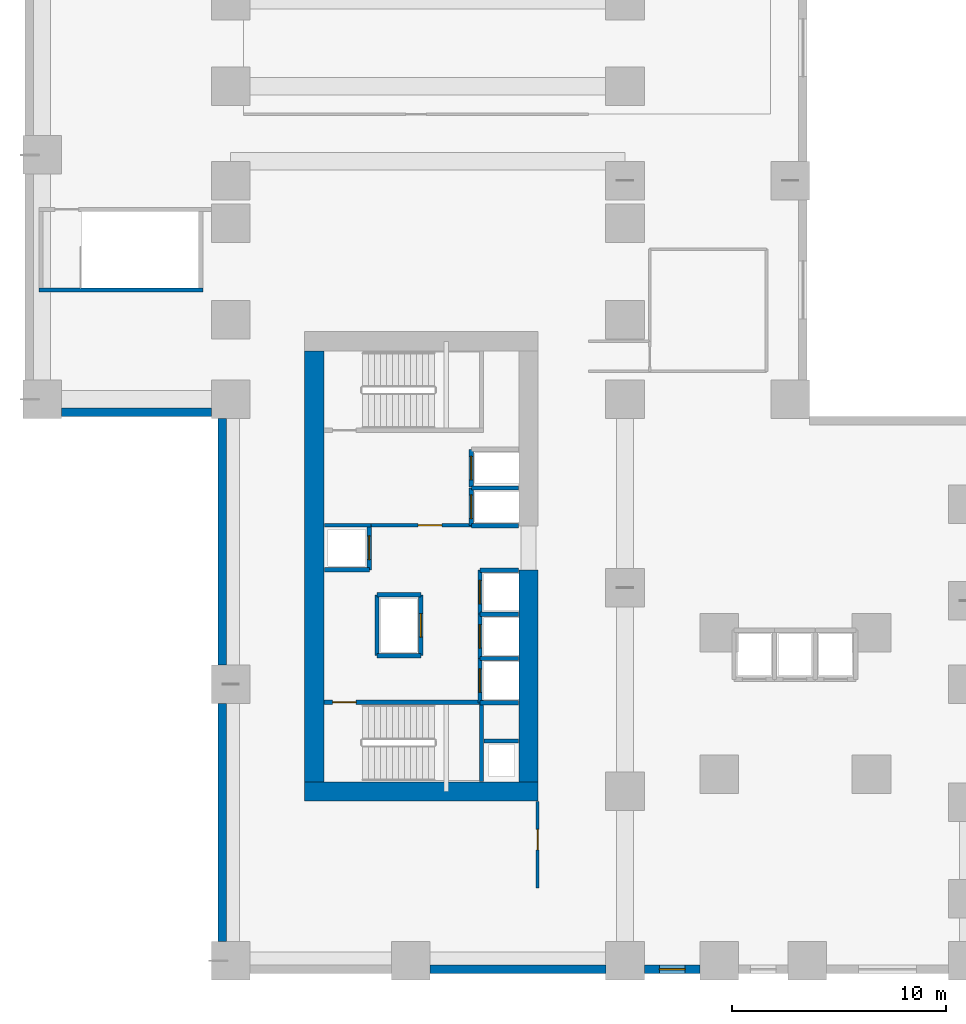
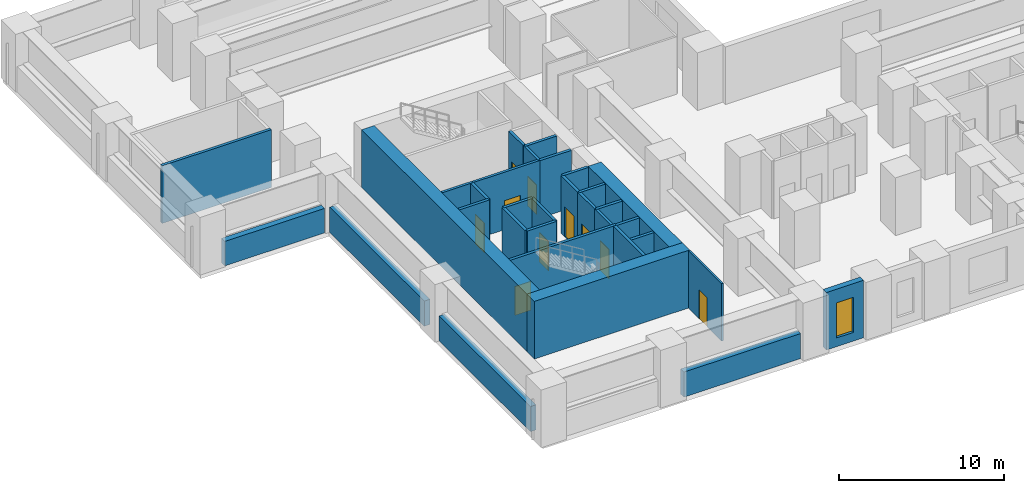
# One storey, part 6 of 12: 32 walls, 10 doors, 1 window, 11 openings.
"""IFC4 building model written with IfcOpenShell, lengths in metres."""

from ifc_helpers import new_model, si_unit, direction, frame, frame_2d, origin, place, context, subcontext, project, spatial, rectangle, extrude, source, transform, mapped, material, layer, layer_set, type_object, element, fill, save


model = new_model("IFC4")

# Units and contexts
model_context = context("Model", 3, precision=1e-05, world=origin(), true_north=direction((0.0, 1.0)))
body_context = subcontext(model_context, "Body", "Model", "MODEL_VIEW")
ifc_project = project(units=[si_unit("LENGTHUNIT", "METRE"), si_unit("AREAUNIT", "SQUARE_METRE"), si_unit("VOLUMEUNIT", "CUBIC_METRE"), si_unit("PLANEANGLEUNIT", "RADIAN"), si_unit("MASSUNIT", "GRAM", prefix="KILO")], contexts=[model_context])

# Site, building, storey
site_placement = place(None, origin())
site = spatial("IfcSite", under=ifc_project, at=site_placement, CompositionType="ELEMENT")
building_placement = place(site_placement, origin())
building = spatial("IfcBuilding", under=site, at=building_placement, Name="Kharzan Plaza Tower", CompositionType="ELEMENT")
storey_placement = place(building_placement, frame((0.0, 0.0, 18.0)))
storey = spatial("IfcBuildingStorey", under=building, at=storey_placement, Name="L04", CompositionType="ELEMENT", Elevation=18.0)

# Wall, opening, door
ifc_material_1 = material(Name="Concrete C40/50", Category="concrete")
ifc_layer_1 = layer(ifc_material_1, 0.179931640625)
ifc_layer_set_1 = layer_set([ifc_layer_1], Name="Concrete C40/50")
wall_type_1 = type_object("IfcWallType", Name="WL-INT-FIRE-180", PredefinedType="PARTITIONING", material=ifc_layer_set_1)
wall_1_placement = place(storey_placement, frame((7.14990234375, 20.919921875, 0.0), z_axis=(0.0, 0.0, 1.0), x_axis=(1.0, 0.0, 0.0)))
wall_1 = element("IfcWall", 1, at=wall_1_placement, inside=storey, type_object=wall_type_1, Name="L04 Interior Partition CA-FF-S", PredefinedType="PARTITIONING", context=body_context, shape_type="SweptSolid", body=[
    extrude(rectangle(XDim=4.68017578125, YDim=0.179931640625, at=frame_2d((2.340087890625, 0.0))), origin(), (0.0, 0.0, 1.0), 4.264892578125),
])
opening_1_placement = place(wall_1_placement, frame((2.199951171875, 0.0, 0.0)))
opening_1 = element("IfcOpeningElement", 2, at=opening_1_placement, cuts=wall_1, Name="Opening FD1", PredefinedType="OPENING", context=body_context, shape_type="SweptSolid", body=[
    extrude(rectangle(XDim=1.10009765625, YDim=2.14990234375, at=frame_2d((0.550048828125, 1.074951171875))), frame((0.0, 0.099853515625, 0.0), z_axis=(0.0, -1.0, 0.0), x_axis=(1.0, 0.0, 0.0)), (0.0, 0.0, 1.0), 0.199951171875),
])
ifc_material_2 = material(Name="Fire-Rated Acoustic Vision-Panel Steel", Category="steel")
door_type_1 = type_object("IfcDoorType", Name="DR-FIRE-LOBBY", OperationType="NOTDEFINED", PredefinedType="DOOR", material=ifc_material_2)
shared_shape_1 = source(origin(), body_context, "Body", "SweptSolid", [
    extrude(rectangle(XDim=1.10009765625, YDim=2.14990234375, at=frame_2d((0.550048828125, 1.074951171875))), frame((0.0, 0.02490234375, 0.0), z_axis=(0.0, -1.0, 0.0), x_axis=(1.0, 0.0, 0.0)), (0.0, 0.0, 1.0), 0.050048828125),
])
door_1_placement = place(opening_1_placement, origin())
door_1 = element("IfcDoor", 3, at=door_1_placement, inside=storey, type_object=door_type_1, Name="L04 Firefighting Lobby Door", OperationType="SINGLE_SWING_LEFT", OverallHeight=2.14990234375, OverallWidth=1.10009765625, PredefinedType="DOOR", context=body_context, shape_type="MappedRepresentation", body=[
    mapped(shared_shape_1, transform((0.0, 0.0, 0.0), x_axis=(1.0, 0.0, 0.0), y_axis=(0.0, 1.0, 0.0), z_axis=(0.0, 0.0, 1.0))),
])
fill(opening_1, door_1)

ifc_material_3 = material(Name="Fire-Rated Gypsum Board Partition", Category="gypsum")
ifc_layer_2 = layer(ifc_material_3, 0.125)
ifc_layer_set_2 = layer_set([ifc_layer_2], Name="Fire-Rated Gypsum Board Partition")
wall_type_2 = type_object("IfcWallType", Name="WL-INT-PART-125", PredefinedType="PARTITIONING", material=ifc_layer_set_2)
wall_2_placement = place(storey_placement, frame((14.919921875, 4.0, 0.0), z_axis=(0.0, 0.0, 1.0), x_axis=(0.0, 1.0, 0.0)))
wall_2 = element("IfcWall", 4, at=wall_2_placement, inside=storey, type_object=wall_type_2, Name="L04 Interior Partition L04-WPDR", PredefinedType="PARTITIONING", context=body_context, shape_type="SweptSolid", body=[
    extrude(rectangle(XDim=4.02001953125, YDim=0.125, at=frame_2d((2.010009765625, 0.0))), origin(), (0.0, 0.0, 1.0), 4.264892578125),
])
opening_2_placement = place(wall_2_placement, frame((1.77490234375, 0.0, 0.0)))
opening_2 = element("IfcOpeningElement", 5, at=opening_2_placement, cuts=wall_2, Name="Opening OD1", PredefinedType="OPENING", context=body_context, shape_type="SweptSolid", body=[
    extrude(rectangle(XDim=0.949951171875, YDim=2.14990234375, at=frame_2d((0.47509765625, 1.074951171875))), frame((0.0, 0.072509765625, 0.0), z_axis=(0.0, -1.0, 0.0), x_axis=(1.0, 0.0, 0.0)), (0.0, 0.0, 1.0), 0.14501953125),
])
ifc_material_4 = material(Name="Acoustic Solid-Core Stained Oak", Category="timber")
door_type_2 = type_object("IfcDoorType", Name="DR-OFF-SINGLE", OperationType="NOTDEFINED", PredefinedType="DOOR", material=ifc_material_4)
shared_shape_2 = source(origin(), body_context, "Body", "SweptSolid", [
    extrude(rectangle(XDim=0.949951171875, YDim=2.14990234375, at=frame_2d((0.47509765625, 1.074951171875))), frame((0.0, 0.02490234375, 0.0), z_axis=(0.0, -1.0, 0.0), x_axis=(1.0, 0.0, 0.0)), (0.0, 0.0, 1.0), 0.050048828125),
])
door_2_placement = place(opening_2_placement, origin())
door_2 = element("IfcDoor", 6, at=door_2_placement, inside=storey, type_object=door_type_2, Name="L04 Private Dining Room Door", OperationType="SINGLE_SWING_RIGHT", OverallHeight=2.14990234375, OverallWidth=0.949951171875, PredefinedType="DOOR", context=body_context, shape_type="MappedRepresentation", body=[
    mapped(shared_shape_2, transform((0.0, 0.0, 0.0), x_axis=(1.0, 0.0, 0.0), y_axis=(0.0, 1.0, 0.0), z_axis=(0.0, 0.0, 1.0))),
])
fill(opening_2, door_2)

ifc_layer_3 = layer(ifc_material_1, 0.199951171875)
ifc_layer_set_3 = layer_set([ifc_layer_3], Name="Concrete C40/50")
wall_type_3 = type_object("IfcWallType", Name="WL-INT-SHAFT-200", PredefinedType="PARTITIONING", material=ifc_layer_set_3)
wall_3_placement = place(storey_placement, frame((11.830078125, 20.89990234375, 0.0), z_axis=(0.0, 0.0, 1.0), x_axis=(0.0, 1.0, 0.0)))
wall_3 = element("IfcWall", 7, at=wall_3_placement, inside=storey, type_object=wall_type_3, Name="L04 Interior Partition SHF-FFL-1-W", PredefinedType="PARTITIONING", context=body_context, shape_type="SweptSolid", body=[
    extrude(rectangle(XDim=1.760009765625, YDim=0.199951171875, at=frame_2d((0.8798828125, 0.0))), origin(), (0.0, 0.0, 1.0), 4.264892578125),
])
opening_3_placement = place(wall_3_placement, frame((0.330078125, 0.0, 0.0)))
opening_3 = element("IfcOpeningElement", 8, at=opening_3_placement, cuts=wall_3, Name="Opening LD", PredefinedType="OPENING", context=body_context, shape_type="SweptSolid", body=[
    extrude(rectangle(XDim=1.10009765625, YDim=2.199951171875, at=frame_2d((0.550048828125, 1.10009765625))), frame((0.0, 0.10986328125, 0.0), z_axis=(0.0, -1.0, 0.0), x_axis=(1.0, 0.0, 0.0)), (0.0, 0.0, 1.0), 0.219970703125),
])
ifc_material_5 = material(Name="Brushed Stainless Steel", Category="steel")
door_type_3 = type_object("IfcDoorType", Name="DR-LIFT-SLIDE", OperationType="SLIDING_TO_LEFT", PredefinedType="DOOR", material=ifc_material_5)
shared_shape_3 = source(origin(), body_context, "Body", "SweptSolid", [
    extrude(rectangle(XDim=1.10009765625, YDim=2.199951171875, at=frame_2d((0.550048828125, 1.10009765625))), frame((0.0, 0.02490234375, 0.0), z_axis=(0.0, -1.0, 0.0), x_axis=(1.0, 0.0, 0.0)), (0.0, 0.0, 1.0), 0.050048828125),
])
door_3_placement = place(opening_3_placement, origin())
door_3 = element("IfcDoor", 9, at=door_3_placement, inside=storey, type_object=door_type_3, Name="L04 Firefighting Lift FFL-1 Sliding Landing Door", OperationType="SLIDING_TO_LEFT", OverallHeight=2.199951171875, OverallWidth=1.10009765625, PredefinedType="DOOR", context=body_context, shape_type="MappedRepresentation", body=[
    mapped(shared_shape_3, transform((0.0, 0.0, 0.0), x_axis=(1.0, 0.0, 0.0), y_axis=(0.0, 1.0, 0.0), z_axis=(0.0, 0.0, 1.0))),
])
fill(opening_3, door_3)

wall_4_placement = place(storey_placement, frame((11.830078125, 22.699951171875, 0.0), z_axis=(0.0, 0.0, 1.0), x_axis=(0.0, 1.0, 0.0)))
wall_4 = element("IfcWall", 10, at=wall_4_placement, inside=storey, type_object=wall_type_3, Name="L04 Interior Partition SHF-FFL-2-W", PredefinedType="PARTITIONING", context=body_context, shape_type="SweptSolid", body=[
    extrude(rectangle(XDim=1.760009765625, YDim=0.199951171875, at=frame_2d((0.8798828125, 0.0))), origin(), (0.0, 0.0, 1.0), 4.264892578125),
])
opening_4_placement = place(wall_4_placement, frame((0.330078125, 0.0, 0.0)))
opening_4 = element("IfcOpeningElement", 11, at=opening_4_placement, cuts=wall_4, Name="Opening LD", PredefinedType="OPENING", context=body_context, shape_type="SweptSolid", body=[
    extrude(rectangle(XDim=1.10009765625, YDim=2.199951171875, at=frame_2d((0.550048828125, 1.10009765625))), frame((0.0, 0.10986328125, 0.0), z_axis=(0.0, -1.0, 0.0), x_axis=(1.0, 0.0, 0.0)), (0.0, 0.0, 1.0), 0.219970703125),
])
door_4_placement = place(opening_4_placement, origin())
door_4 = element("IfcDoor", 12, at=door_4_placement, inside=storey, type_object=door_type_3, Name="L04 Firefighting Lift FFL-2 Sliding Landing Door", OperationType="SLIDING_TO_LEFT", OverallHeight=2.199951171875, OverallWidth=1.10009765625, PredefinedType="DOOR", context=body_context, shape_type="MappedRepresentation", body=[
    mapped(shared_shape_3, transform((0.0, 0.0, 0.0), x_axis=(1.0, 0.0, 0.0), y_axis=(0.0, 1.0, 0.0), z_axis=(0.0, 0.0, 1.0))),
])
fill(opening_4, door_4)

wall_5_placement = place(storey_placement, frame((12.22998046875, 12.6298828125, 0.0), z_axis=(0.0, 0.0, 1.0), x_axis=(0.0, 1.0, 0.0)))
wall_5 = element("IfcWall", 13, at=wall_5_placement, inside=storey, type_object=wall_type_3, Name="L04 Interior Partition SHF-PL-H1-W", PredefinedType="PARTITIONING", context=body_context, shape_type="SweptSolid", body=[
    extrude(rectangle(XDim=2.070068359375, YDim=0.199951171875, at=frame_2d((1.03515625, 0.0))), origin(), (0.0, 0.0, 1.0), 4.264892578125),
])
opening_5_placement = place(wall_5_placement, frame((0.485107421875, 0.0, 0.0)))
opening_5 = element("IfcOpeningElement", 14, at=opening_5_placement, cuts=wall_5, Name="Opening LD", PredefinedType="OPENING", context=body_context, shape_type="SweptSolid", body=[
    extrude(rectangle(XDim=1.10009765625, YDim=2.199951171875, at=frame_2d((0.550048828125, 1.10009765625))), frame((0.0, 0.10986328125, 0.0), z_axis=(0.0, -1.0, 0.0), x_axis=(1.0, 0.0, 0.0)), (0.0, 0.0, 1.0), 0.219970703125),
])
door_5_placement = place(opening_5_placement, origin())
door_5 = element("IfcDoor", 15, at=door_5_placement, inside=storey, type_object=door_type_3, Name="L04 High-Rise Passenger Lift PL-H1 Sliding Landing Door", OperationType="SLIDING_TO_LEFT", OverallHeight=2.199951171875, OverallWidth=1.10009765625, PredefinedType="DOOR", context=body_context, shape_type="MappedRepresentation", body=[
    mapped(shared_shape_3, transform((0.0, 0.0, 0.0), x_axis=(1.0, 0.0, 0.0), y_axis=(0.0, 1.0, 0.0), z_axis=(0.0, 0.0, 1.0))),
])
fill(opening_5, door_5)

wall_6_placement = place(storey_placement, frame((12.22998046875, 14.699951171875, 0.0), z_axis=(0.0, 0.0, 1.0), x_axis=(0.0, 1.0, 0.0)))
wall_6 = element("IfcWall", 16, at=wall_6_placement, inside=storey, type_object=wall_type_3, Name="L04 Interior Partition SHF-PL-H2-W", PredefinedType="PARTITIONING", context=body_context, shape_type="SweptSolid", body=[
    extrude(rectangle(XDim=2.070068359375, YDim=0.199951171875, at=frame_2d((1.03515625, 0.0))), origin(), (0.0, 0.0, 1.0), 4.264892578125),
])
opening_6_placement = place(wall_6_placement, frame((0.485107421875, 0.0, 0.0)))
opening_6 = element("IfcOpeningElement", 17, at=opening_6_placement, cuts=wall_6, Name="Opening LD", PredefinedType="OPENING", context=body_context, shape_type="SweptSolid", body=[
    extrude(rectangle(XDim=1.10009765625, YDim=2.199951171875, at=frame_2d((0.550048828125, 1.10009765625))), frame((0.0, 0.10986328125, 0.0), z_axis=(0.0, -1.0, 0.0), x_axis=(1.0, 0.0, 0.0)), (0.0, 0.0, 1.0), 0.219970703125),
])
door_6_placement = place(opening_6_placement, origin())
door_6 = element("IfcDoor", 18, at=door_6_placement, inside=storey, type_object=door_type_3, Name="L04 High-Rise Passenger Lift PL-H2 Sliding Landing Door", OperationType="SLIDING_TO_LEFT", OverallHeight=2.199951171875, OverallWidth=1.10009765625, PredefinedType="DOOR", context=body_context, shape_type="MappedRepresentation", body=[
    mapped(shared_shape_3, transform((0.0, 0.0, 0.0), x_axis=(1.0, 0.0, 0.0), y_axis=(0.0, 1.0, 0.0), z_axis=(0.0, 0.0, 1.0))),
])
fill(opening_6, door_6)

wall_7_placement = place(storey_placement, frame((12.22998046875, 16.77001953125, 0.0), z_axis=(0.0, 0.0, 1.0), x_axis=(0.0, 1.0, 0.0)))
wall_7 = element("IfcWall", 19, at=wall_7_placement, inside=storey, type_object=wall_type_3, Name="L04 Interior Partition SHF-PL-H3-W", PredefinedType="PARTITIONING", context=body_context, shape_type="SweptSolid", body=[
    extrude(rectangle(XDim=2.050048828125, YDim=0.199951171875, at=frame_2d((1.02490234375, 0.0))), origin(), (0.0, 0.0, 1.0), 4.264892578125),
])
opening_7_placement = place(wall_7_placement, frame((0.47509765625, 0.0, 0.0)))
opening_7 = element("IfcOpeningElement", 20, at=opening_7_placement, cuts=wall_7, Name="Opening LD", PredefinedType="OPENING", context=body_context, shape_type="SweptSolid", body=[
    extrude(rectangle(XDim=1.10009765625, YDim=2.199951171875, at=frame_2d((0.550048828125, 1.10009765625))), frame((0.0, 0.10986328125, 0.0), z_axis=(0.0, -1.0, 0.0), x_axis=(1.0, 0.0, 0.0)), (0.0, 0.0, 1.0), 0.219970703125),
])
door_7_placement = place(opening_7_placement, origin())
door_7 = element("IfcDoor", 21, at=door_7_placement, inside=storey, type_object=door_type_3, Name="L04 High-Rise Passenger Lift PL-H3 Sliding Landing Door", OperationType="SLIDING_TO_LEFT", OverallHeight=2.199951171875, OverallWidth=1.10009765625, PredefinedType="DOOR", context=body_context, shape_type="MappedRepresentation", body=[
    mapped(shared_shape_3, transform((0.0, 0.0, 0.0), x_axis=(1.0, 0.0, 0.0), y_axis=(0.0, 1.0, 0.0), z_axis=(0.0, 0.0, 1.0))),
])
fill(opening_7, door_7)

wall_8_placement = place(storey_placement, frame((7.070068359375, 18.840087890625, 0.0), z_axis=(0.0, 0.0, 1.0), x_axis=(0.0, 1.0, 0.0)))
wall_8 = element("IfcWall", 22, at=wall_8_placement, inside=storey, type_object=wall_type_3, Name="L04 Interior Partition SHF-PL-H4-E", PredefinedType="PARTITIONING", context=body_context, shape_type="SweptSolid", body=[
    extrude(rectangle(XDim=2.059814453125, YDim=0.199951171875, at=frame_2d((1.02978515625, 0.0))), origin(), (0.0, 0.0, 1.0), 4.264892578125),
])
opening_8_placement = place(wall_8_placement, frame((0.47998046875, 0.0, 0.0)))
opening_8 = element("IfcOpeningElement", 23, at=opening_8_placement, cuts=wall_8, Name="Opening LD", PredefinedType="OPENING", context=body_context, shape_type="SweptSolid", body=[
    extrude(rectangle(XDim=1.10009765625, YDim=2.199951171875, at=frame_2d((0.550048828125, 1.10009765625))), frame((0.0, 0.10986328125, 0.0), z_axis=(0.0, -1.0, 0.0), x_axis=(1.0, 0.0, 0.0)), (0.0, 0.0, 1.0), 0.219970703125),
])
door_8_placement = place(opening_8_placement, origin())
door_8 = element("IfcDoor", 24, at=door_8_placement, inside=storey, type_object=door_type_3, Name="L04 High-Rise Passenger Lift PL-H4 Sliding Landing Door", OperationType="SLIDING_TO_LEFT", OverallHeight=2.199951171875, OverallWidth=1.10009765625, PredefinedType="DOOR", context=body_context, shape_type="MappedRepresentation", body=[
    mapped(shared_shape_3, transform((0.0, 0.0, 0.0), x_axis=(1.0, 0.0, 0.0), y_axis=(0.0, 1.0, 0.0), z_axis=(0.0, 0.0, 1.0))),
])
fill(opening_8, door_8)

wall_9_placement = place(storey_placement, frame((9.469970703125, 14.830078125, 0.0), z_axis=(0.0, 0.0, 1.0), x_axis=(0.0, 1.0, 0.0)))
wall_9 = element("IfcWall", 25, at=wall_9_placement, inside=storey, type_object=wall_type_3, Name="L04 Interior Partition SHF-SVL-1-E", PredefinedType="PARTITIONING", context=body_context, shape_type="SweptSolid", body=[
    extrude(rectangle(XDim=2.83984375, YDim=0.199951171875, at=frame_2d((1.419921875, 0.0))), origin(), (0.0, 0.0, 1.0), 4.264892578125),
])
opening_9_placement = place(wall_9_placement, frame((0.8701171875, 0.0, 0.0)))
opening_9 = element("IfcOpeningElement", 26, at=opening_9_placement, cuts=wall_9, Name="Opening LD", PredefinedType="OPENING", context=body_context, shape_type="SweptSolid", body=[
    extrude(rectangle(XDim=1.10009765625, YDim=2.199951171875, at=frame_2d((0.550048828125, 1.10009765625))), frame((0.0, 0.10986328125, 0.0), z_axis=(0.0, -1.0, 0.0), x_axis=(1.0, 0.0, 0.0)), (0.0, 0.0, 1.0), 0.219970703125),
])
door_9_placement = place(opening_9_placement, origin())
door_9 = element("IfcDoor", 27, at=door_9_placement, inside=storey, type_object=door_type_3, Name="L04 Service Lift SVL-1 Sliding Landing Door", OperationType="SLIDING_TO_LEFT", OverallHeight=2.199951171875, OverallWidth=1.10009765625, PredefinedType="DOOR", context=body_context, shape_type="MappedRepresentation", body=[
    mapped(shared_shape_3, transform((0.0, 0.0, 0.0), x_axis=(1.0, 0.0, 0.0), y_axis=(0.0, 1.0, 0.0), z_axis=(0.0, 0.0, 1.0))),
])
fill(opening_9, door_9)

# Wall, opening, window
ifc_layer_4 = layer(ifc_material_1, 0.39990234375)
ifc_layer_set_4 = layer_set([ifc_layer_4], Name="Concrete C40/50")
wall_type_4 = type_object("IfcWallType", Name="WL-POD-MAS-400", PredefinedType="SOLIDWALL", material=ifc_layer_set_4)
wall_10_placement = place(storey_placement, frame((19.89794921875, 0.199951171875, 0.0), z_axis=(0.0, 0.0, 1.0), x_axis=(1.0, 0.0, 0.0)))
wall_10 = element("IfcWall", 28, at=wall_10_placement, inside=storey, type_object=wall_type_4, Name="L04 Masonry-Frame Exterior Wall 17", PredefinedType="SOLIDWALL", context=body_context, shape_type="SweptSolid", body=[
    extrude(rectangle(XDim=2.60400390625, YDim=0.39990234375, at=frame_2d((1.302001953125, 0.0))), origin(), (0.0, 0.0, 1.0), 4.264892578125),
])
opening_10_placement = place(wall_10_placement, frame((0.701904296875, 0.0, 0.64990234375)))
opening_10 = element("IfcOpeningElement", 29, at=opening_10_placement, cuts=wall_10, Name="Opening W3", PredefinedType="OPENING", context=body_context, shape_type="SweptSolid", body=[
    extrude(rectangle(XDim=1.199951171875, YDim=2.60009765625, at=frame_2d((0.60009765625, 1.300048828125))), frame((0.0, 0.2099609375, 0.0), z_axis=(0.0, -1.0, 0.0), x_axis=(1.0, 0.0, 0.0)), (0.0, 0.0, 1.0), 0.419921875),
])
ifc_material_6 = material(Name="Low-E Double Glazing", Category="glass")
window_type = type_object("IfcWindowType", Name="WN-REC-1200x2100", PartitioningType="SINGLE_PANEL", PredefinedType="WINDOW", material=ifc_material_6)
shared_shape_4 = source(origin(), body_context, "Body", "SweptSolid", [
    extrude(rectangle(XDim=1.199951171875, YDim=2.60009765625, at=frame_2d((0.60009765625, 1.300048828125))), frame((0.0, 0.030029296875, 0.0), z_axis=(0.0, -1.0, 0.0), x_axis=(1.0, 0.0, 0.0)), (0.0, 0.0, 1.0), 0.06005859375),
])
window_placement = place(opening_10_placement, origin())
window = element("IfcWindow", 30, at=window_placement, inside=storey, type_object=window_type, Name="L04 Recessed Solar-Control Window 17-1", OverallHeight=2.60009765625, OverallWidth=1.199951171875, PartitioningType="SINGLE_PANEL", PredefinedType="WINDOW", context=body_context, shape_type="MappedRepresentation", body=[
    mapped(shared_shape_4, transform((0.0, 0.0, 0.0), x_axis=(1.0, 0.0, 0.0), y_axis=(0.0, 1.0, 0.0), z_axis=(0.0, 0.0, 1.0))),
])
fill(opening_10, window)

# Wall, opening, door
ifc_material_7 = material(Name="Concrete C50/60", Category="concrete")
ifc_layer_5 = layer(ifc_material_7, 0.199951171875)
ifc_layer_set_5 = layer_set([ifc_layer_5], Name="Concrete C50/60")
wall_type_5 = type_object("IfcWallType", Name="WL-SHAFT-RC200", PredefinedType="SHEAR", material=ifc_layer_set_5)
wall_11_placement = place(storey_placement, frame((4.951904296875, 12.655029296875, 0.0), z_axis=(0.0, 0.0, 1.0), x_axis=(1.0, 0.0, 0.0)))
wall_11 = element("IfcWall", 31, at=wall_11_placement, inside=storey, type_object=wall_type_5, Name="L04 Stair ST-1 North RC Shaft Wall", PredefinedType="SHEAR", context=body_context, shape_type="SweptSolid", body=[
    extrude(rectangle(XDim=7.453125, YDim=0.199951171875, at=frame_2d((3.7265625, 0.0))), origin(), (0.0, 0.0, 1.0), 4.280029296875),
])
opening_11_placement = place(wall_11_placement, frame((0.39990234375, 0.0, 0.0)))
opening_11 = element("IfcOpeningElement", 32, at=opening_11_placement, cuts=wall_11, Name="Opening SD1", PredefinedType="OPENING", context=body_context, shape_type="SweptSolid", body=[
    extrude(rectangle(XDim=1.10009765625, YDim=2.14990234375, at=frame_2d((0.550048828125, 1.074951171875))), frame((0.0, 0.10986328125, 0.0), z_axis=(0.0, -1.0, 0.0), x_axis=(1.0, 0.0, 0.0)), (0.0, 0.0, 1.0), 0.219970703125),
])
ifc_material_8 = material(Name="Fire-Rated Hollow Galvanized Steel", Category="steel")
door_type_4 = type_object("IfcDoorType", Name="DR-STAIR-FD120", OperationType="NOTDEFINED", PredefinedType="DOOR", material=ifc_material_8)
shared_shape_5 = source(origin(), body_context, "Body", "SweptSolid", [
    extrude(rectangle(XDim=1.10009765625, YDim=2.14990234375, at=frame_2d((0.550048828125, 1.074951171875))), frame((0.0, 0.02490234375, 0.0), z_axis=(0.0, -1.0, 0.0), x_axis=(1.0, 0.0, 0.0)), (0.0, 0.0, 1.0), 0.050048828125),
])
door_10_placement = place(opening_11_placement, origin())
door_10 = element("IfcDoor", 33, at=door_10_placement, inside=storey, type_object=door_type_4, Name="L04 Stair ST-1 Fire Exit Door", OperationType="SINGLE_SWING_LEFT", OverallHeight=2.14990234375, OverallWidth=1.10009765625, PredefinedType="DOOR", context=body_context, shape_type="MappedRepresentation", body=[
    mapped(shared_shape_5, transform((0.0, 0.0, 0.0), x_axis=(1.0, 0.0, 0.0), y_axis=(0.0, 1.0, 0.0), z_axis=(0.0, 0.0, 1.0))),
])
fill(opening_11, door_10)

# Walls
ifc_material_9 = material(Name="Concrete C60/75", Category="concrete")
ifc_layer_6 = layer(ifc_material_9, 0.89990234375)
ifc_layer_set_6 = layer_set([ifc_layer_6], Name="Concrete C60/75")
wall_type_6 = type_object("IfcWallType", Name="WL-CORE-900", PredefinedType="SHEAR", material=ifc_layer_set_6)
shared_shape_6 = source(origin(), body_context, "Body", "SweptSolid", [
    extrude(rectangle(XDim=9.8701171875, YDim=0.89990234375, at=frame_2d((4.93505859375, 0.0))), origin(), (0.0, 0.0, 1.0), 4.280029296875),
])
wall_12_placement = place(storey_placement, frame((14.5, 8.949951171875, 0.0), z_axis=(0.0, 0.0, 1.0), x_axis=(0.0, 1.0, 0.0)))
element("IfcWall", 34, at=wall_12_placement, inside=storey, type_object=wall_type_6, Name="L04 CORE-A east shear pier 1", PredefinedType="SHEAR", context=body_context, shape_type="MappedRepresentation", body=[
    mapped(shared_shape_6, transform((0.0, 0.0, 0.0), x_axis=(1.0, 0.0, 0.0), y_axis=(0.0, 1.0, 0.0), z_axis=(0.0, 0.0, 1.0))),
])
shared_shape_7 = source(origin(), body_context, "Body", "SweptSolid", [
    extrude(rectangle(XDim=10.89990234375, YDim=0.89990234375, at=frame_2d((5.449951171875, 0.0))), origin(), (0.0, 0.0, 1.0), 4.280029296875),
])
wall_13_placement = place(storey_placement, frame((4.050048828125, 8.5, 0.0), z_axis=(0.0, 0.0, 1.0), x_axis=(1.0, 0.0, 0.0)))
element("IfcWall", 35, at=wall_13_placement, inside=storey, type_object=wall_type_6, Name="L04 CORE-A south RC shear wall", PredefinedType="SHEAR", context=body_context, shape_type="MappedRepresentation", body=[
    mapped(shared_shape_7, transform((0.0, 0.0, 0.0), x_axis=(1.0, 0.0, 0.0), y_axis=(0.0, 1.0, 0.0), z_axis=(0.0, 0.0, 1.0))),
])
shared_shape_8 = source(origin(), body_context, "Body", "SweptSolid", [
    extrude(rectangle(XDim=20.10009765625, YDim=0.89990234375, at=frame_2d((10.050048828125, 0.0))), origin(), (0.0, 0.0, 1.0), 4.280029296875),
])
wall_14_placement = place(storey_placement, frame((4.5, 8.949951171875, 0.0), z_axis=(0.0, 0.0, 1.0), x_axis=(0.0, 1.0, 0.0)))
element("IfcWall", 36, at=wall_14_placement, inside=storey, type_object=wall_type_6, Name="L04 CORE-A west RC shear wall", PredefinedType="SHEAR", context=body_context, shape_type="MappedRepresentation", body=[
    mapped(shared_shape_8, transform((0.0, 0.0, 0.0), x_axis=(1.0, 0.0, 0.0), y_axis=(0.0, 1.0, 0.0), z_axis=(0.0, 0.0, 1.0))),
])
shared_shape_9 = source(origin(), body_context, "Body", "SweptSolid", [
    extrude(rectangle(XDim=8.2041015625, YDim=0.39990234375, at=frame_2d((4.10205078125, 0.0))), origin(), (0.0, 0.0, 1.0), 1.864990234375),
])
wall_15_placement = place(storey_placement, frame((9.89794921875, 0.199951171875, 0.0), z_axis=(0.0, 0.0, 1.0), x_axis=(1.0, 0.0, 0.0)))
element("IfcWall", 37, at=wall_15_placement, inside=storey, type_object=wall_type_4, Name="L04 Masonry-Frame Exterior Wall 16", PredefinedType="SOLIDWALL", context=body_context, shape_type="MappedRepresentation", body=[
    mapped(shared_shape_9, transform((0.0, 0.0, 0.0), x_axis=(1.0, 0.0, 0.0), y_axis=(0.0, 1.0, 0.0), z_axis=(0.0, 0.0, 1.0))),
])
shared_shape_10 = source(origin(), body_context, "Body", "SweptSolid", [
    extrude(rectangle(XDim=7.00390625, YDim=0.39990234375, at=frame_2d((3.501953125, 0.0))), origin(), (0.0, 0.0, 1.0), 1.81494140625),
])
wall_16_placement = place(storey_placement, frame((-7.302001953125, 26.199951171875, 0.0), z_axis=(0.0, 0.0, 1.0), x_axis=(1.0, 0.0, 0.0)))
element("IfcWall", 38, at=wall_16_placement, inside=storey, type_object=wall_type_4, Name="L04 Masonry-Frame Exterior Wall 12", PredefinedType="SOLIDWALL", context=body_context, shape_type="MappedRepresentation", body=[
    mapped(shared_shape_10, transform((0.0, 0.0, 0.0), x_axis=(1.0, 0.0, 0.0), y_axis=(0.0, 1.0, 0.0), z_axis=(0.0, 0.0, 1.0))),
])
shared_shape_11 = source(origin(), body_context, "Body", "SweptSolid", [
    extrude(rectangle(XDim=11.504150390625, YDim=0.39990234375, at=frame_2d((5.751953125, 0.0))), origin(), (0.0, 0.0, 1.0), 1.864990234375),
])
wall_17_placement = place(storey_placement, frame((0.199951171875, 25.902099609375, 0.0), z_axis=(0.0, 0.0, 1.0), x_axis=(0.0, -1.0, 0.0)))
element("IfcWall", 39, at=wall_17_placement, inside=storey, type_object=wall_type_4, Name="L04 Masonry-Frame Exterior Wall 13", PredefinedType="SOLIDWALL", context=body_context, shape_type="MappedRepresentation", body=[
    mapped(shared_shape_11, transform((0.0, 0.0, 0.0), x_axis=(1.0, 0.0, 0.0), y_axis=(0.0, 1.0, 0.0), z_axis=(0.0, 0.0, 1.0))),
])
shared_shape_12 = source(origin(), body_context, "Body", "SweptSolid", [
    extrude(rectangle(XDim=11.10400390625, YDim=0.39990234375, at=frame_2d((5.552001953125, 0.0))), origin(), (0.0, 0.0, 1.0), 1.864990234375),
])
wall_18_placement = place(storey_placement, frame((0.199951171875, 12.60205078125, 0.0), z_axis=(0.0, 0.0, 1.0), x_axis=(0.0, -1.0, 0.0)))
element("IfcWall", 40, at=wall_18_placement, inside=storey, type_object=wall_type_4, Name="L04 Masonry-Frame Exterior Wall 14", PredefinedType="SOLIDWALL", context=body_context, shape_type="MappedRepresentation", body=[
    mapped(shared_shape_12, transform((0.0, 0.0, 0.0), x_axis=(1.0, 0.0, 0.0), y_axis=(0.0, 1.0, 0.0), z_axis=(0.0, 0.0, 1.0))),
])
shared_shape_13 = source(origin(), body_context, "Body", "SweptSolid", [
    extrude(rectangle(XDim=2.169921875, YDim=0.179931640625, at=frame_2d((1.0849609375, 0.0))), origin(), (0.0, 0.0, 1.0), 4.264892578125),
])
wall_19_placement = place(storey_placement, frame((4.97998046875, 20.919921875, 0.0), z_axis=(0.0, 0.0, 1.0), x_axis=(1.0, 0.0, 0.0)))
element("IfcWall", 41, at=wall_19_placement, inside=storey, type_object=wall_type_1, Name="L04 Interior Partition CA-FF-SW", PredefinedType="PARTITIONING", context=body_context, shape_type="MappedRepresentation", body=[
    mapped(shared_shape_13, transform((0.0, 0.0, 0.0), x_axis=(1.0, 0.0, 0.0), y_axis=(0.0, 1.0, 0.0), z_axis=(0.0, 0.0, 1.0))),
])
shared_shape_14 = source(origin(), body_context, "Body", "SweptSolid", [
    extrude(rectangle(XDim=1.60009765625, YDim=0.199951171875, at=frame_2d((0.800048828125, 0.0))), origin(), (0.0, 0.0, 1.0), 4.264892578125),
])
wall_20_placement = place(storey_placement, frame((12.419921875, 10.85009765625, 0.0), z_axis=(0.0, 0.0, 1.0), x_axis=(1.0, 0.0, 0.0)))
element("IfcWall", 42, at=wall_20_placement, inside=storey, type_object=wall_type_3, Name="L04 Interior Partition CA-RSRA-N", PredefinedType="PARTITIONING", context=body_context, shape_type="MappedRepresentation", body=[
    mapped(shared_shape_14, transform((0.0, 0.0, 0.0), x_axis=(1.0, 0.0, 0.0), y_axis=(0.0, 1.0, 0.0), z_axis=(0.0, 0.0, 1.0))),
])
shared_shape_15 = source(origin(), body_context, "Body", "SweptSolid", [
    extrude(rectangle(XDim=2.18994140625, YDim=0.199951171875, at=frame_2d((1.094970703125, 0.0))), origin(), (0.0, 0.0, 1.0), 4.264892578125),
])
for number, where, z_axis, x_axis, name in (
    (43, (11.830078125, 22.659912109375, 0.0), (0.0, 0.0, 1.0), (1.0, 0.0, 0.0), "L04 Interior Partition SHF-FFL-1-N"),
    (44, (11.830078125, 20.89990234375, 0.0), (0.0, 0.0, 1.0), (1.0, 0.0, 0.0), "L04 Interior Partition SHF-FFL-1-S"),
):
    element("IfcWall", number, at=place(storey_placement, frame(where, z_axis=z_axis, x_axis=x_axis)), inside=storey, type_object=wall_type_3, Name=name, PredefinedType="PARTITIONING", context=body_context, shape_type="MappedRepresentation", body=[
        mapped(shared_shape_15, transform((0.0, 0.0, 0.0), x_axis=(1.0, 0.0, 0.0), y_axis=(0.0, 1.0, 0.0), z_axis=(0.0, 0.0, 1.0))),
    ])
shared_shape_16 = source(origin(), body_context, "Body", "SweptSolid", [
    extrude(rectangle(XDim=1.7900390625, YDim=0.199951171875, at=frame_2d((0.89501953125, 0.0))), origin(), (0.0, 0.0, 1.0), 4.264892578125),
])
for number, where, z_axis, x_axis, name in (
    (45, (12.22998046875, 14.699951171875, 0.0), (0.0, 0.0, 1.0), (1.0, 0.0, 0.0), "L04 Interior Partition SHF-PL-H1-N"),
    (46, (12.22998046875, 12.6298828125, 0.0), (0.0, 0.0, 1.0), (1.0, 0.0, 0.0), "L04 Interior Partition SHF-PL-H1-S"),
    (47, (12.22998046875, 16.77001953125, 0.0), (0.0, 0.0, 1.0), (1.0, 0.0, 0.0), "L04 Interior Partition SHF-PL-H2-N"),
    (48, (12.22998046875, 18.820068359375, 0.0), (0.0, 0.0, 1.0), (1.0, 0.0, 0.0), "L04 Interior Partition SHF-PL-H3-N"),
):
    element("IfcWall", number, at=place(storey_placement, frame(where, z_axis=z_axis, x_axis=x_axis)), inside=storey, type_object=wall_type_3, Name=name, PredefinedType="PARTITIONING", context=body_context, shape_type="MappedRepresentation", body=[
        mapped(shared_shape_16, transform((0.0, 0.0, 0.0), x_axis=(1.0, 0.0, 0.0), y_axis=(0.0, 1.0, 0.0), z_axis=(0.0, 0.0, 1.0))),
    ])
shared_shape_17 = source(origin(), body_context, "Body", "SweptSolid", [
    extrude(rectangle(XDim=2.090087890625, YDim=0.199951171875, at=frame_2d((1.044921875, 0.0))), origin(), (0.0, 0.0, 1.0), 4.264892578125),
])
wall_21_placement = place(storey_placement, frame((4.97998046875, 18.840087890625, 0.0), z_axis=(0.0, 0.0, 1.0), x_axis=(1.0, 0.0, 0.0)))
element("IfcWall", 49, at=wall_21_placement, inside=storey, type_object=wall_type_3, Name="L04 Interior Partition SHF-PL-H4-S", PredefinedType="PARTITIONING", context=body_context, shape_type="MappedRepresentation", body=[
    mapped(shared_shape_17, transform((0.0, 0.0, 0.0), x_axis=(1.0, 0.0, 0.0), y_axis=(0.0, 1.0, 0.0), z_axis=(0.0, 0.0, 1.0))),
])
shared_shape_18 = source(origin(), body_context, "Body", "SweptSolid", [
    extrude(rectangle(XDim=2.0400390625, YDim=0.199951171875, at=frame_2d((1.02001953125, 0.0))), origin(), (0.0, 0.0, 1.0), 4.264892578125),
])
for number, where, z_axis, x_axis, name in (
    (50, (7.429931640625, 17.669921875, 0.0), (0.0, 0.0, 1.0), (1.0, 0.0, 0.0), "L04 Interior Partition SHF-SVL-1-N"),
    (51, (7.429931640625, 14.830078125, 0.0), (0.0, 0.0, 1.0), (1.0, 0.0, 0.0), "L04 Interior Partition SHF-SVL-1-S"),
):
    element("IfcWall", number, at=place(storey_placement, frame(where, z_axis=z_axis, x_axis=x_axis)), inside=storey, type_object=wall_type_3, Name=name, PredefinedType="PARTITIONING", context=body_context, shape_type="MappedRepresentation", body=[
        mapped(shared_shape_18, transform((0.0, 0.0, 0.0), x_axis=(1.0, 0.0, 0.0), y_axis=(0.0, 1.0, 0.0), z_axis=(0.0, 0.0, 1.0))),
    ])
shared_shape_19 = source(origin(), body_context, "Body", "SweptSolid", [
    extrude(rectangle(XDim=2.83984375, YDim=0.199951171875, at=frame_2d((1.419921875, 0.0))), origin(), (0.0, 0.0, 1.0), 4.264892578125),
])
wall_22_placement = place(storey_placement, frame((7.429931640625, 14.830078125, 0.0), z_axis=(0.0, 0.0, 1.0), x_axis=(0.0, 1.0, 0.0)))
element("IfcWall", 52, at=wall_22_placement, inside=storey, type_object=wall_type_3, Name="L04 Interior Partition SHF-SVL-1-W", PredefinedType="PARTITIONING", context=body_context, shape_type="MappedRepresentation", body=[
    mapped(shared_shape_19, transform((0.0, 0.0, 0.0), x_axis=(1.0, 0.0, 0.0), y_axis=(0.0, 1.0, 0.0), z_axis=(0.0, 0.0, 1.0))),
])
shared_shape_20 = source(origin(), body_context, "Body", "SweptSolid", [
    extrude(rectangle(XDim=3.60302734375, YDim=0.199951171875, at=frame_2d((1.801513671875, 0.0))), origin(), (0.0, 0.0, 1.0), 4.280029296875),
])
wall_23_placement = place(storey_placement, frame((12.304931640625, 8.951904296875, 0.0), z_axis=(0.0, 0.0, 1.0), x_axis=(0.0, 1.0, 0.0)))
element("IfcWall", 53, at=wall_23_placement, inside=storey, type_object=wall_type_5, Name="L04 Stair ST-1 East RC Shaft Wall", PredefinedType="SHEAR", context=body_context, shape_type="MappedRepresentation", body=[
    mapped(shared_shape_20, transform((0.0, 0.0, 0.0), x_axis=(1.0, 0.0, 0.0), y_axis=(0.0, 1.0, 0.0), z_axis=(0.0, 0.0, 1.0))),
])
shared_shape_21 = source(origin(), body_context, "Body", "SweptSolid", [
    extrude(rectangle(XDim=7.655029296875, YDim=0.199951171875, at=frame_2d((3.82763671875, 0.0))), origin(), (0.0, 0.0, 1.0), 4.280029296875),
])
wall_24_placement = place(storey_placement, frame((-8.35009765625, 31.89501953125, 0.0), z_axis=(0.0, 0.0, 1.0), x_axis=(1.0, 0.0, 0.0)))
element("IfcWall", 54, at=wall_24_placement, inside=storey, type_object=wall_type_5, Name="L04 Stair ST-4 South RC Shaft Wall", PredefinedType="SHEAR", context=body_context, shape_type="MappedRepresentation", body=[
    mapped(shared_shape_21, transform((0.0, 0.0, 0.0), x_axis=(1.0, 0.0, 0.0), y_axis=(0.0, 1.0, 0.0), z_axis=(0.0, 0.0, 1.0))),
])

save(model, "model.ifc")
